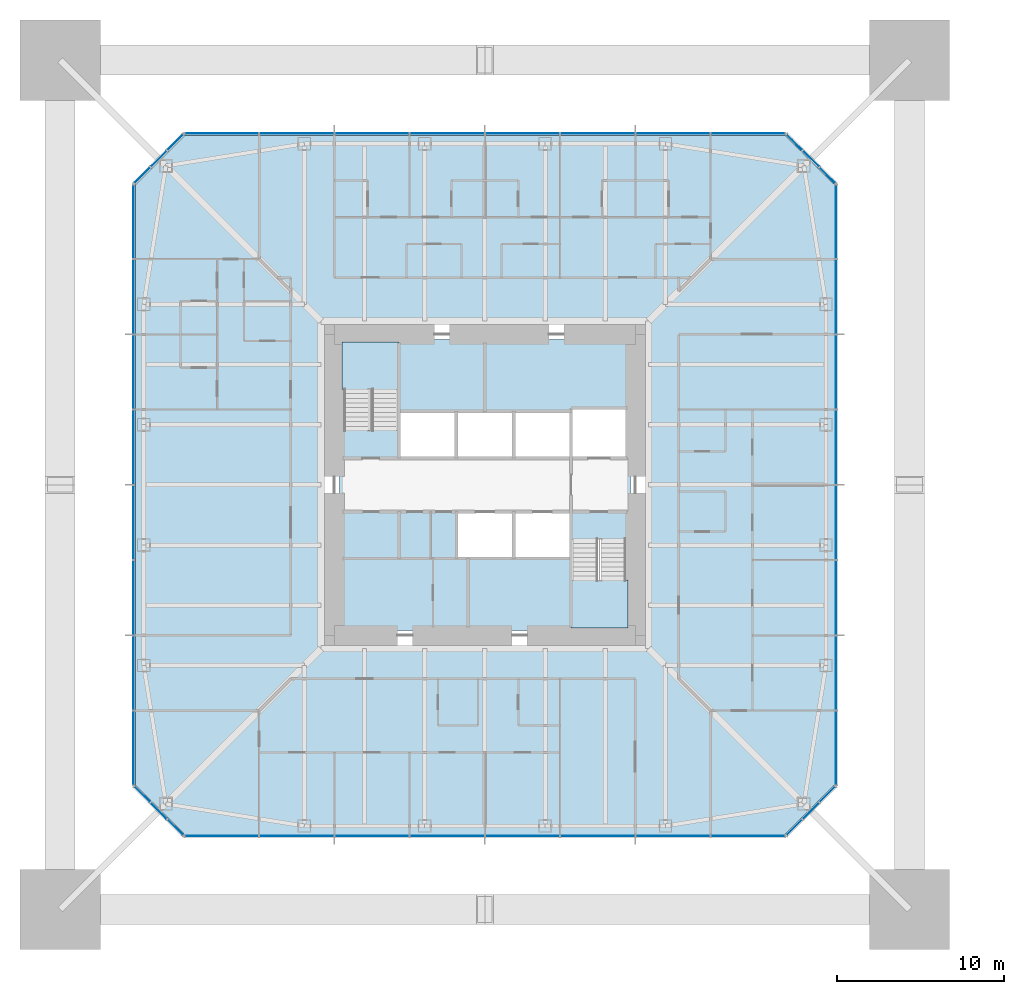
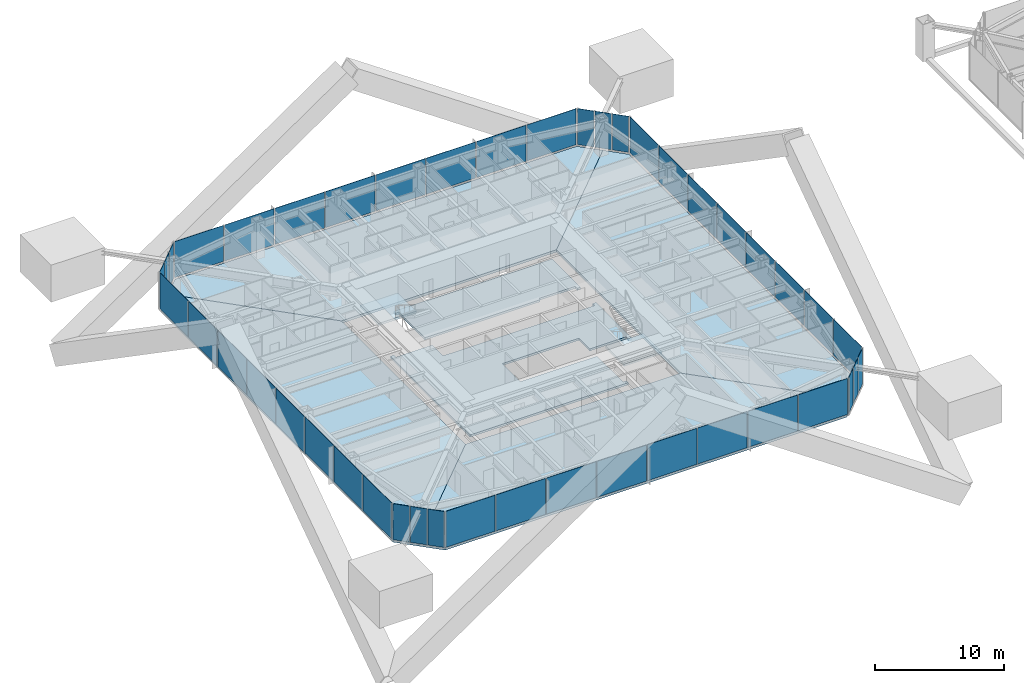
# One storey, part 12 of 26: 44 plates, 8 slabs, 10 elements without a shape of their own.
"""IFC4 building model written with IfcOpenShell, lengths in metres."""

from ifc_helpers import new_model, si_unit, direction, frame, origin, origin_2d, place, context, subcontext, project, spatial, polyline, rectangle, outline, extrude, material, layer, layer_set, constituent, constituent_set, type_object, element, aggregate, save


model = new_model("IFC4")

# Units and contexts
model_context = context("Model", 3, precision=1e-05, world=origin(), true_north=direction((0.0, 1.0)))
body_context = subcontext(model_context, "Body", "Model", "MODEL_VIEW")
ifc_project = project(units=[si_unit("LENGTHUNIT", "METRE"), si_unit("AREAUNIT", "SQUARE_METRE"), si_unit("VOLUMEUNIT", "CUBIC_METRE"), si_unit("PLANEANGLEUNIT", "RADIAN"), si_unit("MASSUNIT", "GRAM", prefix="KILO")], contexts=[model_context])

# Site, building, storey
site_placement = place(None, origin())
site = spatial("IfcSite", under=ifc_project, at=site_placement, CompositionType="ELEMENT")
building_placement = place(site_placement, origin())
building = spatial("IfcBuilding", under=site, at=building_placement, Name="Iwan Alto Co-Living Towers", CompositionType="ELEMENT")
storey_placement = place(building_placement, frame((0.0, 0.0, 115.5)))
storey = spatial("IfcBuildingStorey", under=building, at=storey_placement, Name="L31", CompositionType="ELEMENT", Elevation=115.5)

# Slabs
ifc_material_1 = material(Name="Concrete f'c 30 MPa", Category="concrete")
ifc_layer_1 = layer(ifc_material_1, 0.199951171875)
ifc_layer_set_1 = layer_set([ifc_layer_1], Name="CORE FLOOR SLAB 200")
slab_type_1 = type_object("IfcSlabType", Name="CORE FLOOR SLAB 200", PredefinedType="FLOOR", material=ifc_layer_set_1)
slab_1_placement = place(storey_placement, frame((0.0, 0.0, -0.199951171875)))
element("IfcSlab", 1, at=slab_1_placement, inside=storey, type_object=slab_type_1, Name="T1 core floor L31", PredefinedType="FLOOR", context=body_context, shape_type="SweptSolid", body=[
    extrude(outline(polyline([(5.14990234375, -1.60009765625), (1.72509765625, -1.60009765625), (-1.699951171875, -1.60009765625), (-1.699951171875, -4.39990234375), (1.72509765625, -4.39990234375), (5.14990234375, -4.39990234375), (5.14990234375, -8.39990234375), (5.4599609375, -8.39990234375), (5.4599609375, -8.699951171875), (-8.699951171875, -8.699951171875), (-8.699951171875, 3.580078125), (-8.39990234375, 3.580078125), (-8.39990234375, 3.27001953125), (-5.14990234375, 3.27001953125), (-5.14990234375, 1.60009765625), (-1.717041015625, 1.60009765625), (1.717041015625, 1.60009765625), (5.14990234375, 1.60009765625), (8.39990234375, 1.60009765625), (8.39990234375, 1.909912109375), (8.699951171875, 1.909912109375), (8.699951171875, -3.580078125), (8.39990234375, -3.580078125), (8.39990234375, -3.27001953125), (5.14990234375, -3.27001953125), (5.14990234375, -1.60009765625)])), origin(), (0.0, 0.0, 1.0), 0.199951171875),
])
slab_2_placement = place(storey_placement, frame((0.0, 0.0, -0.199951171875)))
element("IfcSlab", 2, at=slab_2_placement, inside=storey, type_object=slab_type_1, Name="T1 core floor L31", PredefinedType="FLOOR", context=body_context, shape_type="SweptSolid", body=[
    extrude(outline(polyline([(1.717041015625, 4.39990234375), (-1.717041015625, 4.39990234375), (-5.14990234375, 4.39990234375), (-5.14990234375, 8.39990234375), (-5.4599609375, 8.39990234375), (-5.4599609375, 8.699951171875), (8.699951171875, 8.699951171875), (8.699951171875, 4.2900390625), (8.39990234375, 4.2900390625), (8.39990234375, 4.60009765625), (5.14990234375, 4.60009765625), (5.14990234375, 4.39990234375), (1.717041015625, 4.39990234375)])), origin(), (0.0, 0.0, 1.0), 0.199951171875),
])

# Curtain wall, plates
ifc_material_2 = material(Name="Bronze aluminium unitised frame", Category="aluminium")
curtain_wall_type_1 = type_object("IfcCurtainWallType", Name="CURTAIN WALL CW-A", PredefinedType="NOTDEFINED", material=ifc_material_2)
curtain_wall_1_placement = place(storey_placement, origin())
curtain_wall_1 = element("IfcCurtainWall", 3, at=curtain_wall_1_placement, inside=storey, type_object=curtain_wall_type_1, Name="T1 curtain wall S L31", PredefinedType="NOTDEFINED")
ifc_material_3 = material(Name="Bronze-tinted insulating glass", Category="glass")
ifc_layer_2 = layer(ifc_material_3, 0.031982421875)
ifc_layer_set_2 = layer_set([ifc_layer_2], Name="CW-A PANEL TINTED IGU 32")
plate_type_1 = type_object("IfcPlateType", Name="CW-A PANEL TINTED IGU 32", PredefinedType="CURTAIN_PANEL", material=ifc_layer_set_2)
plate_1_placement = place(storey_placement, frame((-15.72998046875, -21.0, 0.10009765625), z_axis=(0.0, 0.0, 1.0), x_axis=(1.0, 0.0, 0.0)))
plate_1 = element("IfcPlate", 4, at=plate_1_placement, type_object=plate_type_1, Name="CW-A panel 1.1", PredefinedType="CURTAIN_PANEL", context=body_context, shape_type="SweptSolid", body=[
    extrude(rectangle(XDim=4.3798828125, YDim=0.031982421875, at=origin_2d()), origin(), (0.0, 0.0, 1.0), 3.39990234375),
])
plate_2_placement = place(storey_placement, frame((-11.25, -21.0, 0.10009765625), z_axis=(0.0, 0.0, 1.0), x_axis=(1.0, 0.0, 0.0)))
plate_2 = element("IfcPlate", 5, at=plate_2_placement, type_object=plate_type_1, Name="CW-A panel 2.1", PredefinedType="CURTAIN_PANEL", context=body_context, shape_type="SweptSolid", body=[
    extrude(rectangle(XDim=4.419921875, YDim=0.031982421875, at=origin_2d()), origin(), (0.0, 0.0, 1.0), 3.39990234375),
])
plate_3_placement = place(storey_placement, frame((-6.75, -21.0, 0.10009765625), z_axis=(0.0, 0.0, 1.0), x_axis=(1.0, 0.0, 0.0)))
plate_3 = element("IfcPlate", 6, at=plate_3_placement, type_object=plate_type_1, Name="CW-A panel 3.1", PredefinedType="CURTAIN_PANEL", context=body_context, shape_type="SweptSolid", body=[
    extrude(rectangle(XDim=4.419921875, YDim=0.031982421875, at=origin_2d()), origin(), (0.0, 0.0, 1.0), 3.39990234375),
])
plate_4_placement = place(storey_placement, frame((-2.25, -21.0, 0.10009765625), z_axis=(0.0, 0.0, 1.0), x_axis=(1.0, 0.0, 0.0)))
plate_4 = element("IfcPlate", 7, at=plate_4_placement, type_object=plate_type_1, Name="CW-A panel 4.1", PredefinedType="CURTAIN_PANEL", context=body_context, shape_type="SweptSolid", body=[
    extrude(rectangle(XDim=4.419921875, YDim=0.031982421875, at=origin_2d()), origin(), (0.0, 0.0, 1.0), 3.39990234375),
])
plate_5_placement = place(storey_placement, frame((2.25, -21.0, 0.10009765625), z_axis=(0.0, 0.0, 1.0), x_axis=(1.0, 0.0, 0.0)))
plate_5 = element("IfcPlate", 8, at=plate_5_placement, type_object=plate_type_1, Name="CW-A panel 5.1", PredefinedType="CURTAIN_PANEL", context=body_context, shape_type="SweptSolid", body=[
    extrude(rectangle(XDim=4.419921875, YDim=0.031982421875, at=origin_2d()), origin(), (0.0, 0.0, 1.0), 3.39990234375),
])
plate_6_placement = place(storey_placement, frame((6.75, -21.0, 0.10009765625), z_axis=(0.0, 0.0, 1.0), x_axis=(1.0, 0.0, 0.0)))
plate_6 = element("IfcPlate", 9, at=plate_6_placement, type_object=plate_type_1, Name="CW-A panel 6.1", PredefinedType="CURTAIN_PANEL", context=body_context, shape_type="SweptSolid", body=[
    extrude(rectangle(XDim=4.419921875, YDim=0.031982421875, at=origin_2d()), origin(), (0.0, 0.0, 1.0), 3.39990234375),
])
plate_7_placement = place(storey_placement, frame((11.25, -21.0, 0.10009765625), z_axis=(0.0, 0.0, 1.0), x_axis=(1.0, 0.0, 0.0)))
plate_7 = element("IfcPlate", 10, at=plate_7_placement, type_object=plate_type_1, Name="CW-A panel 7.1", PredefinedType="CURTAIN_PANEL", context=body_context, shape_type="SweptSolid", body=[
    extrude(rectangle(XDim=4.419921875, YDim=0.031982421875, at=origin_2d()), origin(), (0.0, 0.0, 1.0), 3.39990234375),
])
plate_8_placement = place(storey_placement, frame((15.72998046875, -21.0, 0.10009765625), z_axis=(0.0, 0.0, 1.0), x_axis=(1.0, 0.0, 0.0)))
plate_8 = element("IfcPlate", 11, at=plate_8_placement, type_object=plate_type_1, Name="CW-A panel 8.1", PredefinedType="CURTAIN_PANEL", context=body_context, shape_type="SweptSolid", body=[
    extrude(rectangle(XDim=4.3798828125, YDim=0.031982421875, at=origin_2d()), origin(), (0.0, 0.0, 1.0), 3.39990234375),
])
aggregate(curtain_wall_1, [plate_1, plate_2, plate_3, plate_4, plate_5, plate_6, plate_7, plate_8])

curtain_wall_2_placement = place(storey_placement, origin())
curtain_wall_2 = element("IfcCurtainWall", 12, at=curtain_wall_2_placement, inside=storey, type_object=curtain_wall_type_1, Name="T1 curtain wall E L31", PredefinedType="NOTDEFINED")
plate_9_placement = place(storey_placement, frame((21.0, -15.72998046875, 0.10009765625), z_axis=(0.0, 0.0, 1.0), x_axis=(0.0, 1.0, 0.0)))
plate_9 = element("IfcPlate", 13, at=plate_9_placement, type_object=plate_type_1, Name="CW-A panel 1.1", PredefinedType="CURTAIN_PANEL", context=body_context, shape_type="SweptSolid", body=[
    extrude(rectangle(XDim=4.3798828125, YDim=0.031982421875, at=origin_2d()), origin(), (0.0, 0.0, 1.0), 3.39990234375),
])
plate_10_placement = place(storey_placement, frame((21.0, -11.25, 0.10009765625), z_axis=(0.0, 0.0, 1.0), x_axis=(0.0, 1.0, 0.0)))
plate_10 = element("IfcPlate", 14, at=plate_10_placement, type_object=plate_type_1, Name="CW-A panel 2.1", PredefinedType="CURTAIN_PANEL", context=body_context, shape_type="SweptSolid", body=[
    extrude(rectangle(XDim=4.419921875, YDim=0.031982421875, at=origin_2d()), origin(), (0.0, 0.0, 1.0), 3.39990234375),
])
plate_11_placement = place(storey_placement, frame((21.0, -6.75, 0.10009765625), z_axis=(0.0, 0.0, 1.0), x_axis=(0.0, 1.0, 0.0)))
plate_11 = element("IfcPlate", 15, at=plate_11_placement, type_object=plate_type_1, Name="CW-A panel 3.1", PredefinedType="CURTAIN_PANEL", context=body_context, shape_type="SweptSolid", body=[
    extrude(rectangle(XDim=4.419921875, YDim=0.031982421875, at=origin_2d()), origin(), (0.0, 0.0, 1.0), 3.39990234375),
])
plate_12_placement = place(storey_placement, frame((21.0, -2.25, 0.10009765625), z_axis=(0.0, 0.0, 1.0), x_axis=(0.0, 1.0, 0.0)))
plate_12 = element("IfcPlate", 16, at=plate_12_placement, type_object=plate_type_1, Name="CW-A panel 4.1", PredefinedType="CURTAIN_PANEL", context=body_context, shape_type="SweptSolid", body=[
    extrude(rectangle(XDim=4.419921875, YDim=0.031982421875, at=origin_2d()), origin(), (0.0, 0.0, 1.0), 3.39990234375),
])
plate_13_placement = place(storey_placement, frame((21.0, 2.25, 0.10009765625), z_axis=(0.0, 0.0, 1.0), x_axis=(0.0, 1.0, 0.0)))
plate_13 = element("IfcPlate", 17, at=plate_13_placement, type_object=plate_type_1, Name="CW-A panel 5.1", PredefinedType="CURTAIN_PANEL", context=body_context, shape_type="SweptSolid", body=[
    extrude(rectangle(XDim=4.419921875, YDim=0.031982421875, at=origin_2d()), origin(), (0.0, 0.0, 1.0), 3.39990234375),
])
plate_14_placement = place(storey_placement, frame((21.0, 6.75, 0.10009765625), z_axis=(0.0, 0.0, 1.0), x_axis=(0.0, 1.0, 0.0)))
plate_14 = element("IfcPlate", 18, at=plate_14_placement, type_object=plate_type_1, Name="CW-A panel 6.1", PredefinedType="CURTAIN_PANEL", context=body_context, shape_type="SweptSolid", body=[
    extrude(rectangle(XDim=4.419921875, YDim=0.031982421875, at=origin_2d()), origin(), (0.0, 0.0, 1.0), 3.39990234375),
])
plate_15_placement = place(storey_placement, frame((21.0, 11.25, 0.10009765625), z_axis=(0.0, 0.0, 1.0), x_axis=(0.0, 1.0, 0.0)))
plate_15 = element("IfcPlate", 19, at=plate_15_placement, type_object=plate_type_1, Name="CW-A panel 7.1", PredefinedType="CURTAIN_PANEL", context=body_context, shape_type="SweptSolid", body=[
    extrude(rectangle(XDim=4.419921875, YDim=0.031982421875, at=origin_2d()), origin(), (0.0, 0.0, 1.0), 3.39990234375),
])
plate_16_placement = place(storey_placement, frame((21.0, 15.72998046875, 0.10009765625), z_axis=(0.0, 0.0, 1.0), x_axis=(0.0, 1.0, 0.0)))
plate_16 = element("IfcPlate", 20, at=plate_16_placement, type_object=plate_type_1, Name="CW-A panel 8.1", PredefinedType="CURTAIN_PANEL", context=body_context, shape_type="SweptSolid", body=[
    extrude(rectangle(XDim=4.3798828125, YDim=0.031982421875, at=origin_2d()), origin(), (0.0, 0.0, 1.0), 3.39990234375),
])
aggregate(curtain_wall_2, [plate_9, plate_10, plate_11, plate_12, plate_13, plate_14, plate_15, plate_16])

curtain_wall_3_placement = place(storey_placement, origin())
curtain_wall_3 = element("IfcCurtainWall", 21, at=curtain_wall_3_placement, inside=storey, type_object=curtain_wall_type_1, Name="T1 curtain wall N L31", PredefinedType="NOTDEFINED")
plate_17_placement = place(storey_placement, frame((15.72998046875, 21.0, 0.10009765625), z_axis=(0.0, 0.0, 1.0), x_axis=(-1.0, 0.0, 0.0)))
plate_17 = element("IfcPlate", 22, at=plate_17_placement, type_object=plate_type_1, Name="CW-A panel 1.1", PredefinedType="CURTAIN_PANEL", context=body_context, shape_type="SweptSolid", body=[
    extrude(rectangle(XDim=4.3798828125, YDim=0.031982421875, at=origin_2d()), origin(), (0.0, 0.0, 1.0), 3.39990234375),
])
plate_18_placement = place(storey_placement, frame((11.25, 21.0, 0.10009765625), z_axis=(0.0, 0.0, 1.0), x_axis=(-1.0, 0.0, 0.0)))
plate_18 = element("IfcPlate", 23, at=plate_18_placement, type_object=plate_type_1, Name="CW-A panel 2.1", PredefinedType="CURTAIN_PANEL", context=body_context, shape_type="SweptSolid", body=[
    extrude(rectangle(XDim=4.419921875, YDim=0.031982421875, at=origin_2d()), origin(), (0.0, 0.0, 1.0), 3.39990234375),
])
plate_19_placement = place(storey_placement, frame((6.75, 21.0, 0.10009765625), z_axis=(0.0, 0.0, 1.0), x_axis=(-1.0, 0.0, 0.0)))
plate_19 = element("IfcPlate", 24, at=plate_19_placement, type_object=plate_type_1, Name="CW-A panel 3.1", PredefinedType="CURTAIN_PANEL", context=body_context, shape_type="SweptSolid", body=[
    extrude(rectangle(XDim=4.419921875, YDim=0.031982421875, at=origin_2d()), origin(), (0.0, 0.0, 1.0), 3.39990234375),
])
plate_20_placement = place(storey_placement, frame((2.25, 21.0, 0.10009765625), z_axis=(0.0, 0.0, 1.0), x_axis=(-1.0, 0.0, 0.0)))
plate_20 = element("IfcPlate", 25, at=plate_20_placement, type_object=plate_type_1, Name="CW-A panel 4.1", PredefinedType="CURTAIN_PANEL", context=body_context, shape_type="SweptSolid", body=[
    extrude(rectangle(XDim=4.419921875, YDim=0.031982421875, at=origin_2d()), origin(), (0.0, 0.0, 1.0), 3.39990234375),
])
plate_21_placement = place(storey_placement, frame((-2.25, 21.0, 0.10009765625), z_axis=(0.0, 0.0, 1.0), x_axis=(-1.0, 0.0, 0.0)))
plate_21 = element("IfcPlate", 26, at=plate_21_placement, type_object=plate_type_1, Name="CW-A panel 5.1", PredefinedType="CURTAIN_PANEL", context=body_context, shape_type="SweptSolid", body=[
    extrude(rectangle(XDim=4.419921875, YDim=0.031982421875, at=origin_2d()), origin(), (0.0, 0.0, 1.0), 3.39990234375),
])
plate_22_placement = place(storey_placement, frame((-6.75, 21.0, 0.10009765625), z_axis=(0.0, 0.0, 1.0), x_axis=(-1.0, 0.0, 0.0)))
plate_22 = element("IfcPlate", 27, at=plate_22_placement, type_object=plate_type_1, Name="CW-A panel 6.1", PredefinedType="CURTAIN_PANEL", context=body_context, shape_type="SweptSolid", body=[
    extrude(rectangle(XDim=4.419921875, YDim=0.031982421875, at=origin_2d()), origin(), (0.0, 0.0, 1.0), 3.39990234375),
])
plate_23_placement = place(storey_placement, frame((-11.25, 21.0, 0.10009765625), z_axis=(0.0, 0.0, 1.0), x_axis=(-1.0, 0.0, 0.0)))
plate_23 = element("IfcPlate", 28, at=plate_23_placement, type_object=plate_type_1, Name="CW-A panel 7.1", PredefinedType="CURTAIN_PANEL", context=body_context, shape_type="SweptSolid", body=[
    extrude(rectangle(XDim=4.419921875, YDim=0.031982421875, at=origin_2d()), origin(), (0.0, 0.0, 1.0), 3.39990234375),
])
plate_24_placement = place(storey_placement, frame((-15.72998046875, 21.0, 0.10009765625), z_axis=(0.0, 0.0, 1.0), x_axis=(-1.0, 0.0, 0.0)))
plate_24 = element("IfcPlate", 29, at=plate_24_placement, type_object=plate_type_1, Name="CW-A panel 8.1", PredefinedType="CURTAIN_PANEL", context=body_context, shape_type="SweptSolid", body=[
    extrude(rectangle(XDim=4.3798828125, YDim=0.031982421875, at=origin_2d()), origin(), (0.0, 0.0, 1.0), 3.39990234375),
])
aggregate(curtain_wall_3, [plate_17, plate_18, plate_19, plate_20, plate_21, plate_22, plate_23, plate_24])

curtain_wall_4_placement = place(storey_placement, origin())
curtain_wall_4 = element("IfcCurtainWall", 30, at=curtain_wall_4_placement, inside=storey, type_object=curtain_wall_type_1, Name="T1 curtain wall W L31", PredefinedType="NOTDEFINED")
plate_25_placement = place(storey_placement, frame((-21.0, 15.72998046875, 0.10009765625), z_axis=(0.0, 0.0, 1.0), x_axis=(0.0, -1.0, 0.0)))
plate_25 = element("IfcPlate", 31, at=plate_25_placement, type_object=plate_type_1, Name="CW-A panel 1.1", PredefinedType="CURTAIN_PANEL", context=body_context, shape_type="SweptSolid", body=[
    extrude(rectangle(XDim=4.3798828125, YDim=0.031982421875, at=origin_2d()), origin(), (0.0, 0.0, 1.0), 3.39990234375),
])
plate_26_placement = place(storey_placement, frame((-21.0, 11.25, 0.10009765625), z_axis=(0.0, 0.0, 1.0), x_axis=(0.0, -1.0, 0.0)))
plate_26 = element("IfcPlate", 32, at=plate_26_placement, type_object=plate_type_1, Name="CW-A panel 2.1", PredefinedType="CURTAIN_PANEL", context=body_context, shape_type="SweptSolid", body=[
    extrude(rectangle(XDim=4.419921875, YDim=0.031982421875, at=origin_2d()), origin(), (0.0, 0.0, 1.0), 3.39990234375),
])
plate_27_placement = place(storey_placement, frame((-21.0, 6.75, 0.10009765625), z_axis=(0.0, 0.0, 1.0), x_axis=(0.0, -1.0, 0.0)))
plate_27 = element("IfcPlate", 33, at=plate_27_placement, type_object=plate_type_1, Name="CW-A panel 3.1", PredefinedType="CURTAIN_PANEL", context=body_context, shape_type="SweptSolid", body=[
    extrude(rectangle(XDim=4.419921875, YDim=0.031982421875, at=origin_2d()), origin(), (0.0, 0.0, 1.0), 3.39990234375),
])
plate_28_placement = place(storey_placement, frame((-21.0, 2.25, 0.10009765625), z_axis=(0.0, 0.0, 1.0), x_axis=(0.0, -1.0, 0.0)))
plate_28 = element("IfcPlate", 34, at=plate_28_placement, type_object=plate_type_1, Name="CW-A panel 4.1", PredefinedType="CURTAIN_PANEL", context=body_context, shape_type="SweptSolid", body=[
    extrude(rectangle(XDim=4.419921875, YDim=0.031982421875, at=origin_2d()), origin(), (0.0, 0.0, 1.0), 3.39990234375),
])
plate_29_placement = place(storey_placement, frame((-21.0, -2.25, 0.10009765625), z_axis=(0.0, 0.0, 1.0), x_axis=(0.0, -1.0, 0.0)))
plate_29 = element("IfcPlate", 35, at=plate_29_placement, type_object=plate_type_1, Name="CW-A panel 5.1", PredefinedType="CURTAIN_PANEL", context=body_context, shape_type="SweptSolid", body=[
    extrude(rectangle(XDim=4.419921875, YDim=0.031982421875, at=origin_2d()), origin(), (0.0, 0.0, 1.0), 3.39990234375),
])
plate_30_placement = place(storey_placement, frame((-21.0, -6.75, 0.10009765625), z_axis=(0.0, 0.0, 1.0), x_axis=(0.0, -1.0, 0.0)))
plate_30 = element("IfcPlate", 36, at=plate_30_placement, type_object=plate_type_1, Name="CW-A panel 6.1", PredefinedType="CURTAIN_PANEL", context=body_context, shape_type="SweptSolid", body=[
    extrude(rectangle(XDim=4.419921875, YDim=0.031982421875, at=origin_2d()), origin(), (0.0, 0.0, 1.0), 3.39990234375),
])
plate_31_placement = place(storey_placement, frame((-21.0, -11.25, 0.10009765625), z_axis=(0.0, 0.0, 1.0), x_axis=(0.0, -1.0, 0.0)))
plate_31 = element("IfcPlate", 37, at=plate_31_placement, type_object=plate_type_1, Name="CW-A panel 7.1", PredefinedType="CURTAIN_PANEL", context=body_context, shape_type="SweptSolid", body=[
    extrude(rectangle(XDim=4.419921875, YDim=0.031982421875, at=origin_2d()), origin(), (0.0, 0.0, 1.0), 3.39990234375),
])
plate_32_placement = place(storey_placement, frame((-21.0, -15.72998046875, 0.10009765625), z_axis=(0.0, 0.0, 1.0), x_axis=(0.0, -1.0, 0.0)))
plate_32 = element("IfcPlate", 38, at=plate_32_placement, type_object=plate_type_1, Name="CW-A panel 8.1", PredefinedType="CURTAIN_PANEL", context=body_context, shape_type="SweptSolid", body=[
    extrude(rectangle(XDim=4.3798828125, YDim=0.031982421875, at=origin_2d()), origin(), (0.0, 0.0, 1.0), 3.39990234375),
])
aggregate(curtain_wall_4, [plate_25, plate_26, plate_27, plate_28, plate_29, plate_30, plate_31, plate_32])

ifc_material_4 = material(Name="Bronze aluminium unitised frame", Category="aluminium")
curtain_wall_type_2 = type_object("IfcCurtainWallType", Name="CURTAIN WALL CW-B", PredefinedType="NOTDEFINED", material=ifc_material_4)
curtain_wall_5_placement = place(storey_placement, origin())
curtain_wall_5 = element("IfcCurtainWall", 39, at=curtain_wall_5_placement, inside=storey, type_object=curtain_wall_type_2, Name="T1 chamfer curtain wall SE L31", PredefinedType="NOTDEFINED")
ifc_material_5 = material(Name="Bronze-tinted insulating glass", Category="glass")
ifc_layer_3 = layer(ifc_material_5, 0.031982421875)
ifc_layer_set_3 = layer_set([ifc_layer_3], Name="CW-B PANEL TINTED IGU 32")
plate_type_2 = type_object("IfcPlateType", Name="CW-B PANEL TINTED IGU 32", PredefinedType="CURTAIN_PANEL", material=ifc_layer_set_3)
plate_33_placement = place(storey_placement, frame((18.51416015625, -20.48583984375, 0.10009765625), z_axis=(0.0, 0.0, 1.0), x_axis=(0.707106781187, 0.707106781187, 0.0)))
plate_33 = element("IfcPlate", 40, at=plate_33_placement, type_object=plate_type_2, Name="CW-B panel 1.1", PredefinedType="CURTAIN_PANEL", context=body_context, shape_type="SweptSolid", body=[
    extrude(rectangle(XDim=1.294189453125, YDim=0.031982421875, at=origin_2d()), origin(), (0.0, 0.0, 1.0), 3.39990234375),
])
plate_34_placement = place(storey_placement, frame((19.5, -19.5, 0.10009765625), z_axis=(0.0, 0.0, 1.0), x_axis=(0.707106781187, 0.707106781187, 0.0)))
plate_34 = element("IfcPlate", 41, at=plate_34_placement, type_object=plate_type_2, Name="CW-B panel 2.1", PredefinedType="CURTAIN_PANEL", context=body_context, shape_type="SweptSolid", body=[
    extrude(rectangle(XDim=1.334228515625, YDim=0.031982421875, at=origin_2d()), origin(), (0.0, 0.0, 1.0), 3.39990234375),
])
plate_35_placement = place(storey_placement, frame((20.48583984375, -18.51416015625, 0.10009765625), z_axis=(0.0, 0.0, 1.0), x_axis=(0.707106781187, 0.707106781187, 0.0)))
plate_35 = element("IfcPlate", 42, at=plate_35_placement, type_object=plate_type_2, Name="CW-B panel 3.1", PredefinedType="CURTAIN_PANEL", context=body_context, shape_type="SweptSolid", body=[
    extrude(rectangle(XDim=1.294189453125, YDim=0.031982421875, at=origin_2d()), origin(), (0.0, 0.0, 1.0), 3.39990234375),
])
aggregate(curtain_wall_5, [plate_33, plate_34, plate_35])

curtain_wall_6_placement = place(storey_placement, origin())
curtain_wall_6 = element("IfcCurtainWall", 43, at=curtain_wall_6_placement, inside=storey, type_object=curtain_wall_type_2, Name="T1 chamfer curtain wall NE L31", PredefinedType="NOTDEFINED")
plate_36_placement = place(storey_placement, frame((20.48583984375, 18.51416015625, 0.10009765625), z_axis=(0.0, 0.0, 1.0), x_axis=(-0.707106781187, 0.707106781187, 0.0)))
plate_36 = element("IfcPlate", 44, at=plate_36_placement, type_object=plate_type_2, Name="CW-B panel 1.1", PredefinedType="CURTAIN_PANEL", context=body_context, shape_type="SweptSolid", body=[
    extrude(rectangle(XDim=1.294189453125, YDim=0.031982421875, at=origin_2d()), origin(), (0.0, 0.0, 1.0), 3.39990234375),
])
plate_37_placement = place(storey_placement, frame((19.5, 19.5, 0.10009765625), z_axis=(0.0, 0.0, 1.0), x_axis=(-0.707106781187, 0.707106781187, 0.0)))
plate_37 = element("IfcPlate", 45, at=plate_37_placement, type_object=plate_type_2, Name="CW-B panel 2.1", PredefinedType="CURTAIN_PANEL", context=body_context, shape_type="SweptSolid", body=[
    extrude(rectangle(XDim=1.334228515625, YDim=0.031982421875, at=origin_2d()), origin(), (0.0, 0.0, 1.0), 3.39990234375),
])
plate_38_placement = place(storey_placement, frame((18.51416015625, 20.48583984375, 0.10009765625), z_axis=(0.0, 0.0, 1.0), x_axis=(-0.707106781187, 0.707106781187, 0.0)))
plate_38 = element("IfcPlate", 46, at=plate_38_placement, type_object=plate_type_2, Name="CW-B panel 3.1", PredefinedType="CURTAIN_PANEL", context=body_context, shape_type="SweptSolid", body=[
    extrude(rectangle(XDim=1.294189453125, YDim=0.031982421875, at=origin_2d()), origin(), (0.0, 0.0, 1.0), 3.39990234375),
])
aggregate(curtain_wall_6, [plate_36, plate_37, plate_38])

curtain_wall_7_placement = place(storey_placement, origin())
curtain_wall_7 = element("IfcCurtainWall", 47, at=curtain_wall_7_placement, inside=storey, type_object=curtain_wall_type_2, Name="T1 chamfer curtain wall NW L31", PredefinedType="NOTDEFINED")
plate_39_placement = place(storey_placement, frame((-18.51416015625, 20.48583984375, 0.10009765625), z_axis=(0.0, 0.0, 1.0), x_axis=(-0.707106781187, -0.707106781187, 0.0)))
plate_39 = element("IfcPlate", 48, at=plate_39_placement, type_object=plate_type_2, Name="CW-B panel 1.1", PredefinedType="CURTAIN_PANEL", context=body_context, shape_type="SweptSolid", body=[
    extrude(rectangle(XDim=1.294189453125, YDim=0.031982421875, at=origin_2d()), origin(), (0.0, 0.0, 1.0), 3.39990234375),
])
plate_40_placement = place(storey_placement, frame((-19.5, 19.5, 0.10009765625), z_axis=(0.0, 0.0, 1.0), x_axis=(-0.707106781187, -0.707106781187, 0.0)))
plate_40 = element("IfcPlate", 49, at=plate_40_placement, type_object=plate_type_2, Name="CW-B panel 2.1", PredefinedType="CURTAIN_PANEL", context=body_context, shape_type="SweptSolid", body=[
    extrude(rectangle(XDim=1.334228515625, YDim=0.031982421875, at=origin_2d()), origin(), (0.0, 0.0, 1.0), 3.39990234375),
])
plate_41_placement = place(storey_placement, frame((-20.48583984375, 18.51416015625, 0.10009765625), z_axis=(0.0, 0.0, 1.0), x_axis=(-0.707106781187, -0.707106781187, 0.0)))
plate_41 = element("IfcPlate", 50, at=plate_41_placement, type_object=plate_type_2, Name="CW-B panel 3.1", PredefinedType="CURTAIN_PANEL", context=body_context, shape_type="SweptSolid", body=[
    extrude(rectangle(XDim=1.294189453125, YDim=0.031982421875, at=origin_2d()), origin(), (0.0, 0.0, 1.0), 3.39990234375),
])
aggregate(curtain_wall_7, [plate_39, plate_40, plate_41])

curtain_wall_8_placement = place(storey_placement, origin())
curtain_wall_8 = element("IfcCurtainWall", 51, at=curtain_wall_8_placement, inside=storey, type_object=curtain_wall_type_2, Name="T1 chamfer curtain wall SW L31", PredefinedType="NOTDEFINED")
plate_42_placement = place(storey_placement, frame((-20.48583984375, -18.51416015625, 0.10009765625), z_axis=(0.0, 0.0, 1.0), x_axis=(0.707106781187, -0.707106781187, 0.0)))
plate_42 = element("IfcPlate", 52, at=plate_42_placement, type_object=plate_type_2, Name="CW-B panel 1.1", PredefinedType="CURTAIN_PANEL", context=body_context, shape_type="SweptSolid", body=[
    extrude(rectangle(XDim=1.294189453125, YDim=0.031982421875, at=origin_2d()), origin(), (0.0, 0.0, 1.0), 3.39990234375),
])
plate_43_placement = place(storey_placement, frame((-19.5, -19.5, 0.10009765625), z_axis=(0.0, 0.0, 1.0), x_axis=(0.707106781187, -0.707106781187, 0.0)))
plate_43 = element("IfcPlate", 53, at=plate_43_placement, type_object=plate_type_2, Name="CW-B panel 2.1", PredefinedType="CURTAIN_PANEL", context=body_context, shape_type="SweptSolid", body=[
    extrude(rectangle(XDim=1.334228515625, YDim=0.031982421875, at=origin_2d()), origin(), (0.0, 0.0, 1.0), 3.39990234375),
])
plate_44_placement = place(storey_placement, frame((-18.51416015625, -20.48583984375, 0.10009765625), z_axis=(0.0, 0.0, 1.0), x_axis=(0.707106781187, -0.707106781187, 0.0)))
plate_44 = element("IfcPlate", 54, at=plate_44_placement, type_object=plate_type_2, Name="CW-B panel 3.1", PredefinedType="CURTAIN_PANEL", context=body_context, shape_type="SweptSolid", body=[
    extrude(rectangle(XDim=1.294189453125, YDim=0.031982421875, at=origin_2d()), origin(), (0.0, 0.0, 1.0), 3.39990234375),
])
aggregate(curtain_wall_8, [plate_42, plate_43, plate_44])

# Stair, slab
ifc_material_6 = material(Name="Steel ASTM A36", Category="steel")
ifc_constituent_1 = constituent(ifc_material_6, Name="Stringers", Category="LoadBearing")
ifc_material_7 = material(Name="Concrete f'c 30 MPa", Category="concrete")
ifc_constituent_2 = constituent(ifc_material_7, Name="Tread fill", Category="Finish")
ifc_constituent_set = constituent_set(constituents=[ifc_constituent_1, ifc_constituent_2], Name="STAIR 3500 TWO-FLIGHT T1 CORE")
stair_type = type_object("IfcStairType", Name="STAIR 3500 TWO-FLIGHT T1 CORE", PredefinedType="HALF_TURN_STAIR", material=ifc_constituent_set)
stair_1_placement = place(storey_placement, origin())
stair_1 = element("IfcStair", 55, at=stair_1_placement, inside=storey, type_object=stair_type, Name="Stair T1-S1 L31 to L32", PredefinedType="HALF_TURN_STAIR")
ifc_material_8 = material(Name="Concrete f'c 30 MPa", Category="concrete")
ifc_layer_4 = layer(ifc_material_8, 0.199951171875)
ifc_layer_set_4 = layer_set([ifc_layer_4], Name="STAIR LANDING 200")
slab_type_2 = type_object("IfcSlabType", Name="STAIR LANDING 200", PredefinedType="LANDING", material=ifc_layer_set_4)
slab_3_placement = place(storey_placement, frame((0.0, 0.0, 1.550048828125)))
slab_3 = element("IfcSlab", 56, at=slab_3_placement, type_object=slab_type_2, Name="T1-S1 landing 1", PredefinedType="LANDING", context=body_context, shape_type="SweptSolid", body=[
    extrude(outline(polyline([(-8.550048828125, 5.68994140625), (-8.550048828125, 8.550048828125), (-5.14990234375, 8.550048828125), (-5.14990234375, 5.68994140625), (-8.550048828125, 5.68994140625)])), origin(), (0.0, 0.0, 1.0), 0.199951171875),
])
aggregate(stair_1, [slab_3])

stair_2_placement = place(storey_placement, origin())
stair_2 = element("IfcStair", 57, at=stair_2_placement, inside=storey, type_object=stair_type, Name="Stair T1-S2 L31 to L32", PredefinedType="HALF_TURN_STAIR")
slab_4_placement = place(storey_placement, frame((0.0, 0.0, 1.550048828125)))
slab_4 = element("IfcSlab", 58, at=slab_4_placement, type_object=slab_type_2, Name="T1-S2 landing 1", PredefinedType="LANDING", context=body_context, shape_type="SweptSolid", body=[
    extrude(outline(polyline([(5.14990234375, -5.68994140625), (5.14990234375, -8.550048828125), (8.550048828125, -8.550048828125), (8.550048828125, -5.68994140625), (5.14990234375, -5.68994140625)])), origin(), (0.0, 0.0, 1.0), 0.199951171875),
])
aggregate(stair_2, [slab_4])

# Slabs
ifc_material_9 = material(Name="Concrete f'c 30 MPa", Category="concrete")
ifc_layer_5 = layer(ifc_material_9, 0.22998046875)
ifc_layer_set_5 = layer_set([ifc_layer_5], Name="T1 FLOOR SLAB 230")
slab_type_3 = type_object("IfcSlabType", Name="T1 FLOOR SLAB 230", PredefinedType="FLOOR", material=ifc_layer_set_5)
slab_5_placement = place(storey_placement, frame((0.0, 0.0, -0.22998046875)))
element("IfcSlab", 59, at=slab_5_placement, inside=storey, type_object=slab_type_3, Name="T1 floor slab L31 S pour", PredefinedType="FLOOR", context=body_context, shape_type="SweptSolid", body=[
    extrude(outline(polyline([(17.94140625, -20.89990234375), (-17.94140625, -20.89990234375), (-19.420654296875, -19.420654296875), (-9.60009765625, -9.60009765625), (9.60009765625, -9.60009765625), (19.420654296875, -19.420654296875), (17.94140625, -20.89990234375)])), origin(), (0.0, 0.0, 1.0), 0.22998046875),
])
slab_6_placement = place(storey_placement, frame((0.0, 0.0, -0.22998046875)))
element("IfcSlab", 60, at=slab_6_placement, inside=storey, type_object=slab_type_3, Name="T1 floor slab L31 E pour", PredefinedType="FLOOR", context=body_context, shape_type="SweptSolid", body=[
    extrude(outline(polyline([(20.89990234375, 17.94140625), (20.89990234375, -17.94140625), (19.420654296875, -19.420654296875), (9.60009765625, -9.60009765625), (9.60009765625, 9.60009765625), (19.420654296875, 19.420654296875), (20.89990234375, 17.94140625)])), origin(), (0.0, 0.0, 1.0), 0.22998046875),
])
slab_7_placement = place(storey_placement, frame((0.0, 0.0, -0.22998046875)))
element("IfcSlab", 61, at=slab_7_placement, inside=storey, type_object=slab_type_3, Name="T1 floor slab L31 N pour", PredefinedType="FLOOR", context=body_context, shape_type="SweptSolid", body=[
    extrude(outline(polyline([(-17.94140625, 20.89990234375), (17.94140625, 20.89990234375), (19.420654296875, 19.420654296875), (9.60009765625, 9.60009765625), (-9.60009765625, 9.60009765625), (-19.420654296875, 19.420654296875), (-17.94140625, 20.89990234375)])), origin(), (0.0, 0.0, 1.0), 0.22998046875),
])
slab_8_placement = place(storey_placement, frame((0.0, 0.0, -0.22998046875)))
element("IfcSlab", 62, at=slab_8_placement, inside=storey, type_object=slab_type_3, Name="T1 floor slab L31 W pour", PredefinedType="FLOOR", context=body_context, shape_type="SweptSolid", body=[
    extrude(outline(polyline([(-20.89990234375, 17.94140625), (-19.420654296875, 19.420654296875), (-9.60009765625, 9.60009765625), (-9.60009765625, -9.60009765625), (-19.420654296875, -19.420654296875), (-20.89990234375, -17.94140625), (-20.89990234375, 17.94140625)])), origin(), (0.0, 0.0, 1.0), 0.22998046875),
])

save(model, "model.ifc")
